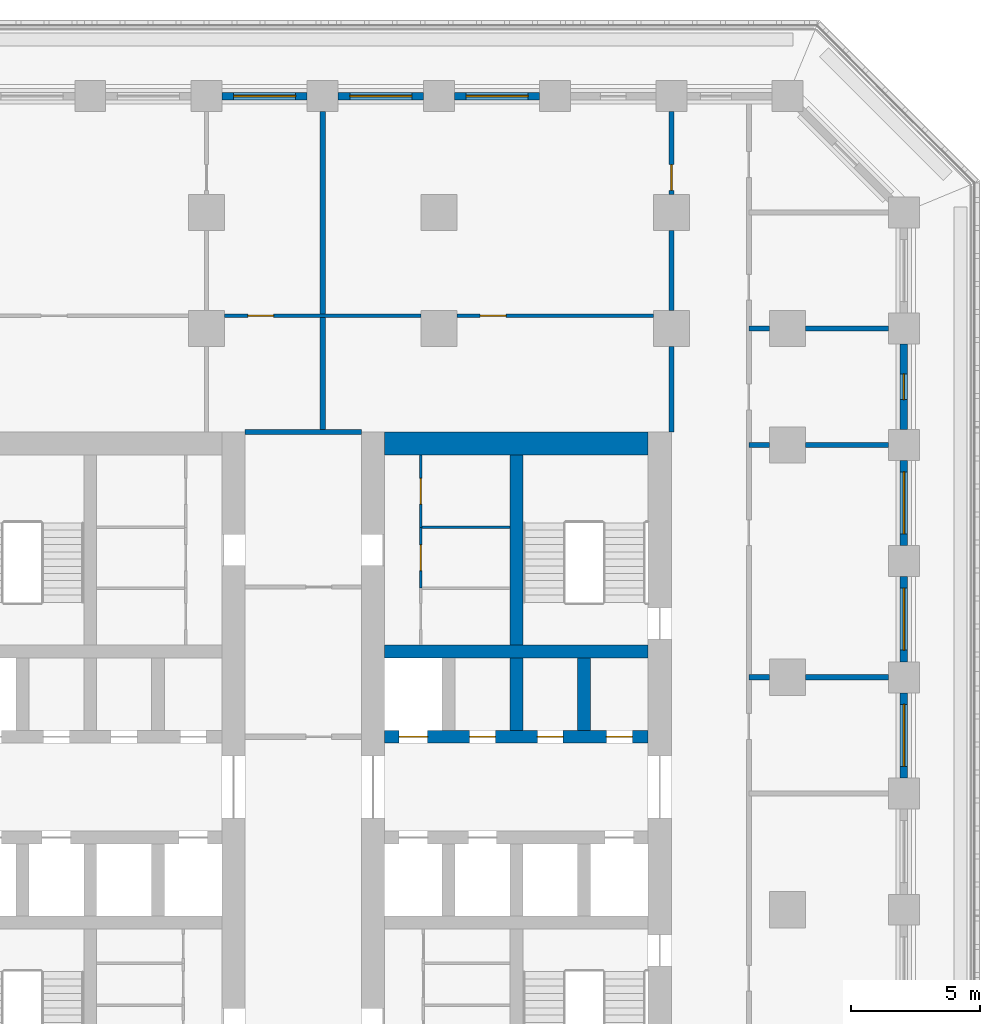
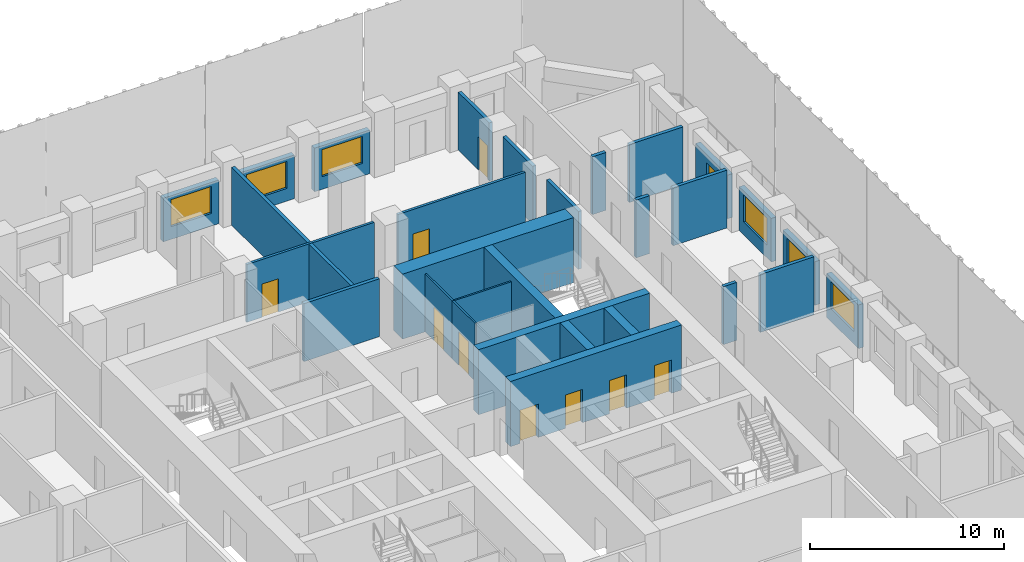
# One storey, part 8 of 19: 29 walls, 10 doors, 6 windows, 16 openings.
"""IFC4 building model written with IfcOpenShell, lengths in metres."""

from ifc_helpers import new_model, si_unit, direction, frame, frame_2d, origin, place, context, subcontext, project, spatial, rectangle, extrude, material, layer, layer_set, type_object, element, fill, save


model = new_model("IFC4")

# Units and contexts
model_context = context("Model", 3, precision=1e-05, world=origin(), true_north=direction((0.0, 1.0)))
body_context = subcontext(model_context, "Body", "Model", "MODEL_VIEW")
ifc_project = project(units=[si_unit("LENGTHUNIT", "METRE"), si_unit("AREAUNIT", "SQUARE_METRE"), si_unit("VOLUMEUNIT", "CUBIC_METRE"), si_unit("PLANEANGLEUNIT", "RADIAN"), si_unit("MASSUNIT", "GRAM", prefix="KILO")], contexts=[model_context])

# Site, building, storey
site_placement = place(None, origin())
site = spatial("IfcSite", under=ifc_project, at=site_placement, CompositionType="ELEMENT")
building_placement = place(site_placement, origin())
building = spatial("IfcBuilding", under=site, at=building_placement, Name="Corbel Stack Research Tower", CompositionType="ELEMENT")
storey_placement = place(building_placement, frame((0.0, 0.0, 133.10009765625)))
storey = spatial("IfcBuildingStorey", under=building, at=storey_placement, Name="L30", CompositionType="ELEMENT", Elevation=133.10009765625)

# Wall, openings, doors
ifc_material_1 = material(Name="Concrete C70/85", Category="concrete")
ifc_layer_1 = layer(ifc_material_1, 0.5)
ifc_layer_set_1 = layer_set([ifc_layer_1], Name="Concrete C70/85")
wall_type_1 = type_object("IfcWallType", Name="CW-500-70", PredefinedType="SHEAR", material=ifc_layer_set_1)
wall_1_placement = place(storey_placement, frame((6.89990234375, 6.699951171875, 0.0), z_axis=(0.0, 0.0, 1.0), x_axis=(1.0, 0.0, 0.0)))
wall_1 = element("IfcWall", 1, at=wall_1_placement, inside=storey, type_object=wall_type_1, Name="East core wall, lobby north L30", PredefinedType="SHEAR", context=body_context, shape_type="SweptSolid", body=[
    extrude(rectangle(XDim=10.2001953125, YDim=0.5, at=frame_2d((5.10009765625, 0.0))), origin(), (0.0, 0.0, 1.0), 4.099853515625),
])
opening_1_placement = place(wall_1_placement, frame((0.5625, 0.0, 0.0)))
opening_1 = element("IfcOpeningElement", 2, at=opening_1_placement, cuts=wall_1, Name="Opening LD-LR4", PredefinedType="OPENING", context=body_context, shape_type="SweptSolid", body=[
    extrude(rectangle(XDim=1.10009765625, YDim=2.10009765625, at=frame_2d((0.550048828125, 1.050048828125))), frame((0.0, 0.260009765625, 0.0), z_axis=(0.0, -1.0, 0.0), x_axis=(1.0, 0.0, 0.0)), (0.0, 0.0, 1.0), 0.52001953125),
])
opening_2_placement = place(wall_1_placement, frame((3.28759765625, 0.0, 0.0)))
opening_2 = element("IfcOpeningElement", 3, at=opening_2_placement, cuts=wall_1, Name="Opening CR-E42-N2", PredefinedType="OPENING", context=body_context, shape_type="SweptSolid", body=[
    extrude(rectangle(XDim=1.0, YDim=2.10009765625, at=frame_2d((0.5, 1.050048828125))), frame((0.0, 0.260009765625, 0.0), z_axis=(0.0, -1.0, 0.0), x_axis=(1.0, 0.0, 0.0)), (0.0, 0.0, 1.0), 0.52001953125),
])
opening_3_placement = place(wall_1_placement, frame((5.91259765625, 0.0, 0.0)))
opening_3 = element("IfcOpeningElement", 4, at=opening_3_placement, cuts=wall_1, Name="Opening CR-E42-N3", PredefinedType="OPENING", context=body_context, shape_type="SweptSolid", body=[
    extrude(rectangle(XDim=1.0, YDim=2.10009765625, at=frame_2d((0.5, 1.050048828125))), frame((0.0, 0.260009765625, 0.0), z_axis=(0.0, -1.0, 0.0), x_axis=(1.0, 0.0, 0.0)), (0.0, 0.0, 1.0), 0.52001953125),
])
opening_4_placement = place(wall_1_placement, frame((8.58740234375, 0.0, 0.0)))
opening_4 = element("IfcOpeningElement", 5, at=opening_4_placement, cuts=wall_1, Name="Opening CR-E42-N4", PredefinedType="OPENING", context=body_context, shape_type="SweptSolid", body=[
    extrude(rectangle(XDim=1.0, YDim=2.10009765625, at=frame_2d((0.5, 1.050048828125))), frame((0.0, 0.260009765625, 0.0), z_axis=(0.0, -1.0, 0.0), x_axis=(1.0, 0.0, 0.0)), (0.0, 0.0, 1.0), 0.52001953125),
])
ifc_material_2 = material(Name="Stainless steel landing door", Category="steel")
door_type_1 = type_object("IfcDoorType", Name="Lift landing door 1100 x 2100", OperationType="DOUBLE_DOOR_SLIDING", PredefinedType="DOOR", material=ifc_material_2)
door_1_placement = place(opening_1_placement, origin())
door_1 = element("IfcDoor", 6, at=door_1_placement, inside=storey, type_object=door_type_1, Name="Landing door LR4", OperationType="DOUBLE_DOOR_SLIDING", OverallHeight=2.10009765625, OverallWidth=1.10009765625, PredefinedType="DOOR", context=body_context, shape_type="SweptSolid", body=[
    extrude(rectangle(XDim=1.10009765625, YDim=2.10009765625, at=frame_2d((0.550048828125, 1.050048828125))), frame((0.0, 0.02490234375, 0.0), z_axis=(0.0, -1.0, 0.0), x_axis=(1.0, 0.0, 0.0)), (0.0, 0.0, 1.0), 0.050048828125),
])
fill(opening_1, door_1)
ifc_material_3 = material(Name="Painted steel door", Category="steel")
door_type_2 = type_object("IfcDoorType", Name="Service door 1000 x 2100 FD60 left hand", OperationType="SINGLE_SWING_LEFT", PredefinedType="DOOR", material=ifc_material_3)
door_2_placement = place(opening_3_placement, origin())
door_2 = element("IfcDoor", 7, at=door_2_placement, inside=storey, type_object=door_type_2, Name="Copy and supply store door E core", OperationType="SINGLE_SWING_LEFT", OverallHeight=2.10009765625, OverallWidth=1.0, PredefinedType="DOOR", context=body_context, shape_type="SweptSolid", body=[
    extrude(rectangle(XDim=1.0, YDim=2.10009765625, at=frame_2d((0.5, 1.050048828125))), frame((0.0, 0.02490234375, 0.0), z_axis=(0.0, -1.0, 0.0), x_axis=(1.0, 0.0, 0.0)), (0.0, 0.0, 1.0), 0.050048828125),
])
fill(opening_3, door_2)
ifc_material_4 = material(Name="Painted steel door", Category="steel")
door_type_3 = type_object("IfcDoorType", Name="Service door 1000 x 2100 FD60 right hand", OperationType="SINGLE_SWING_RIGHT", PredefinedType="DOOR", material=ifc_material_4)
door_3_placement = place(opening_2_placement, origin())
door_3 = element("IfcDoor", 8, at=door_3_placement, inside=storey, type_object=door_type_3, Name="Telecom room door E core", OperationType="SINGLE_SWING_RIGHT", OverallHeight=2.10009765625, OverallWidth=1.0, PredefinedType="DOOR", context=body_context, shape_type="SweptSolid", body=[
    extrude(rectangle(XDim=1.0, YDim=2.10009765625, at=frame_2d((0.5, 1.050048828125))), frame((0.0, 0.02490234375, 0.0), z_axis=(0.0, -1.0, 0.0), x_axis=(1.0, 0.0, 0.0)), (0.0, 0.0, 1.0), 0.050048828125),
])
fill(opening_2, door_3)
door_4_placement = place(opening_4_placement, origin())
door_4 = element("IfcDoor", 9, at=door_4_placement, inside=storey, type_object=door_type_3, Name="Records store door E core", OperationType="SINGLE_SWING_RIGHT", OverallHeight=2.10009765625, OverallWidth=1.0, PredefinedType="DOOR", context=body_context, shape_type="SweptSolid", body=[
    extrude(rectangle(XDim=1.0, YDim=2.10009765625, at=frame_2d((0.5, 1.050048828125))), frame((0.0, 0.02490234375, 0.0), z_axis=(0.0, -1.0, 0.0), x_axis=(1.0, 0.0, 0.0)), (0.0, 0.0, 1.0), 0.050048828125),
])
fill(opening_4, door_4)

# Walls
wall_2_placement = place(storey_placement, frame((6.89990234375, 10.0, 0.0), z_axis=(0.0, 0.0, 1.0), x_axis=(1.0, 0.0, 0.0)))
element("IfcWall", 10, at=wall_2_placement, inside=storey, type_object=wall_type_1, Name="East core wall, north row back L30", PredefinedType="SHEAR", context=body_context, shape_type="SweptSolid", body=[
    extrude(rectangle(XDim=10.2001953125, YDim=0.5, at=frame_2d((5.10009765625, 0.0))), origin(), (0.0, 0.0, 1.0), 4.099853515625),
])
for number, where, z_axis, x_axis, name in (
    (11, (12.0, 6.949951171875, 0.0), (0.0, 0.0, 1.0), (0.0, 1.0, 0.0), "East core wall, north shaft 2 L30"),
    (12, (14.625, 6.949951171875, 0.0), (0.0, 0.0, 1.0), (0.0, 1.0, 0.0), "East core wall, north shaft 3 L30"),
):
    element("IfcWall", number, at=place(storey_placement, frame(where, z_axis=z_axis, x_axis=x_axis)), inside=storey, type_object=wall_type_1, Name=name, PredefinedType="SHEAR", context=body_context, shape_type="SweptSolid", body=[
        extrude(rectangle(XDim=2.800048828125, YDim=0.5, at=frame_2d((1.39990234375, 0.0))), origin(), (0.0, 0.0, 1.0), 4.099853515625),
    ])
wall_3_placement = place(storey_placement, frame((12.0, 10.25, 0.0), z_axis=(0.0, 0.0, 1.0), x_axis=(0.0, 1.0, 0.0)))
element("IfcWall", 13, at=wall_3_placement, inside=storey, type_object=wall_type_1, Name="East core wall, north stair and riser L30", PredefinedType="SHEAR", context=body_context, shape_type="SweptSolid", body=[
    extrude(rectangle(XDim=7.35009765625, YDim=0.5, at=frame_2d((3.675048828125, 0.0))), origin(), (0.0, 0.0, 1.0), 4.099853515625),
])
ifc_material_5 = material(Name="Concrete C70/85", Category="concrete")
ifc_layer_2 = layer(ifc_material_5, 0.89990234375)
ifc_layer_set_2 = layer_set([ifc_layer_2], Name="Concrete C70/85")
wall_type_2 = type_object("IfcWallType", Name="CW-900-70", PredefinedType="SHEAR", material=ifc_layer_set_2)
wall_4_placement = place(storey_placement, frame((6.89990234375, 18.050048828125, 0.0), z_axis=(0.0, 0.0, 1.0), x_axis=(1.0, 0.0, 0.0)))
element("IfcWall", 14, at=wall_4_placement, inside=storey, type_object=wall_type_2, Name="East core wall, north end L30", PredefinedType="SHEAR", context=body_context, shape_type="SweptSolid", body=[
    extrude(rectangle(XDim=10.2001953125, YDim=0.89990234375, at=frame_2d((5.10009765625, 0.0))), origin(), (0.0, 0.0, 1.0), 4.099853515625),
])

# Wall, opening, door
ifc_material_6 = material(Name="Gypsum board")
ifc_layer_3 = layer(ifc_material_6, 0.10009765625)
ifc_layer_set_3 = layer_set([ifc_layer_3], Name="Gypsum board")
wall_type_3 = type_object("IfcWallType", Name="Core partition 100", PredefinedType="PARTITIONING", material=ifc_layer_set_3)
wall_5_placement = place(storey_placement, frame((8.300048828125, 12.455078125, 0.0), z_axis=(0.0, 0.0, 1.0), x_axis=(0.0, 1.0, 0.0)))
wall_5 = element("IfcWall", 15, at=wall_5_placement, inside=storey, type_object=wall_type_3, Name="Core partition E", PredefinedType="PARTITIONING", context=body_context, shape_type="SweptSolid", body=[
    extrude(rectangle(XDim=2.351806640625, YDim=0.10009765625, at=frame_2d((1.17578125, 0.0))), origin(), (0.0, 0.0, 1.0), 3.64990234375),
])
opening_5_placement = place(wall_5_placement, frame((0.676025390625, 0.0, 0.0)))
opening_5 = element("IfcOpeningElement", 16, at=opening_5_placement, cuts=wall_5, Name="Opening CR-E42-R3-1000", PredefinedType="OPENING", context=body_context, shape_type="SweptSolid", body=[
    extrude(rectangle(XDim=1.0, YDim=2.10009765625, at=frame_2d((0.5, 1.050048828125))), frame((0.0, 0.06005859375, 0.0), z_axis=(0.0, -1.0, 0.0), x_axis=(1.0, 0.0, 0.0)), (0.0, 0.0, 1.0), 0.1201171875),
])
ifc_material_7 = material(Name="Painted steel door", Category="steel")
door_type_4 = type_object("IfcDoorType", Name="Service door 1000 x 2100 FD30 right hand", OperationType="SINGLE_SWING_RIGHT", PredefinedType="DOOR", material=ifc_material_7)
door_5_placement = place(opening_5_placement, origin())
door_5 = element("IfcDoor", 17, at=door_5_placement, inside=storey, type_object=door_type_4, Name="Pantry door E core", OperationType="SINGLE_SWING_RIGHT", OverallHeight=2.10009765625, OverallWidth=1.0, PredefinedType="DOOR", context=body_context, shape_type="SweptSolid", body=[
    extrude(rectangle(XDim=1.0, YDim=2.10009765625, at=frame_2d((0.5, 1.050048828125))), frame((0.0, 0.02490234375, 0.0), z_axis=(0.0, -1.0, 0.0), x_axis=(1.0, 0.0, 0.0)), (0.0, 0.0, 1.0), 0.050048828125),
])
fill(opening_5, door_5)

wall_6_placement = place(storey_placement, frame((8.300048828125, 14.806884765625, 0.0), z_axis=(0.0, 0.0, 1.0), x_axis=(0.0, 1.0, 0.0)))
wall_6 = element("IfcWall", 18, at=wall_6_placement, inside=storey, type_object=wall_type_3, Name="Core partition E", PredefinedType="PARTITIONING", context=body_context, shape_type="SweptSolid", body=[
    extrude(rectangle(XDim=2.793212890625, YDim=0.10009765625, at=frame_2d((1.396484375, 0.0))), origin(), (0.0, 0.0, 1.0), 3.64990234375),
])
opening_6_placement = place(wall_6_placement, frame((0.896484375, 0.0, 0.0)))
opening_6 = element("IfcOpeningElement", 19, at=opening_6_placement, cuts=wall_6, Name="Opening CR-E42-R4-1000", PredefinedType="OPENING", context=body_context, shape_type="SweptSolid", body=[
    extrude(rectangle(XDim=1.0, YDim=2.10009765625, at=frame_2d((0.5, 1.050048828125))), frame((0.0, 0.06005859375, 0.0), z_axis=(0.0, -1.0, 0.0), x_axis=(1.0, 0.0, 0.0)), (0.0, 0.0, 1.0), 0.1201171875),
])
ifc_material_8 = material(Name="Painted steel door", Category="steel")
door_type_5 = type_object("IfcDoorType", Name="Riser door 1000 x 2100 FD60 left hand", OperationType="SINGLE_SWING_LEFT", PredefinedType="DOOR", material=ifc_material_8)
door_6_placement = place(opening_6_placement, origin())
door_6 = element("IfcDoor", 20, at=door_6_placement, inside=storey, type_object=door_type_5, Name="Electrical riser door E core", OperationType="SINGLE_SWING_LEFT", OverallHeight=2.10009765625, OverallWidth=1.0, PredefinedType="DOOR", context=body_context, shape_type="SweptSolid", body=[
    extrude(rectangle(XDim=1.0, YDim=2.10009765625, at=frame_2d((0.5, 1.050048828125))), frame((0.0, 0.02490234375, 0.0), z_axis=(0.0, -1.0, 0.0), x_axis=(1.0, 0.0, 0.0)), (0.0, 0.0, 1.0), 0.050048828125),
])
fill(opening_6, door_6)

# Walls
wall_7_placement = place(storey_placement, frame((8.300048828125, 14.806884765625, 0.0), z_axis=(0.0, 0.0, 1.0), x_axis=(1.0, 0.0, 0.0)))
element("IfcWall", 21, at=wall_7_placement, inside=storey, type_object=wall_type_3, Name="Core partition E", PredefinedType="PARTITIONING", context=body_context, shape_type="SweptSolid", body=[
    extrude(rectangle(XDim=3.449951171875, YDim=0.10009765625, at=frame_2d((1.72509765625, 0.0))), origin(), (0.0, 0.0, 1.0), 3.64990234375),
])
ifc_material_9 = material(Name="Fire-rated gypsum board partition on steel studs", Category="steel")
ifc_layer_4 = layer(ifc_material_9, 0.199951171875)
ifc_layer_set_4 = layer_set([ifc_layer_4], Name="Fire-rated gypsum board partition on steel studs")
wall_type_4 = type_object("IfcWallType", Name="Fire-rated partition 200 EI 60", PredefinedType="PARTITIONING", material=ifc_layer_set_4)
wall_8_placement = place(storey_placement, frame((4.5, 18.5, 0.0), z_axis=(0.0, 0.0, 1.0), x_axis=(0.0, 1.0, 0.0)))
element("IfcWall", 22, at=wall_8_placement, inside=storey, type_object=wall_type_4, Name="Partition L30-018", PredefinedType="PARTITIONING", context=body_context, shape_type="SweptSolid", body=[
    extrude(rectangle(XDim=12.39990234375, YDim=0.199951171875, at=frame_2d((6.199951171875, 0.0))), origin(), (0.0, 0.0, 1.0), 3.64990234375),
])
wall_9_placement = place(storey_placement, frame((18.0, 18.5, 0.0), z_axis=(0.0, 0.0, 1.0), x_axis=(0.0, 1.0, 0.0)))
element("IfcWall", 23, at=wall_9_placement, inside=storey, type_object=wall_type_4, Name="Partition L30-021", PredefinedType="PARTITIONING", context=body_context, shape_type="SweptSolid", body=[
    extrude(rectangle(XDim=3.300048828125, YDim=0.199951171875, at=frame_2d((1.64990234375, 0.0))), origin(), (0.0, 0.0, 1.0), 3.64990234375),
])
wall_10_placement = place(storey_placement, frame((18.0, 23.199951171875, 0.0), z_axis=(0.0, 0.0, 1.0), x_axis=(0.0, 1.0, 0.0)))
element("IfcWall", 24, at=wall_10_placement, inside=storey, type_object=wall_type_4, Name="Partition L30-022", PredefinedType="PARTITIONING", context=body_context, shape_type="SweptSolid", body=[
    extrude(rectangle(XDim=3.10009765625, YDim=0.199951171875, at=frame_2d((1.550048828125, 0.0))), origin(), (0.0, 0.0, 1.0), 3.64990234375),
])

# Wall, opening, door
wall_11_placement = place(storey_placement, frame((18.0, 27.699951171875, 0.0), z_axis=(0.0, 0.0, 1.0), x_axis=(0.0, 1.0, 0.0)))
wall_11 = element("IfcWall", 25, at=wall_11_placement, inside=storey, type_object=wall_type_4, Name="Partition L30-023", PredefinedType="PARTITIONING", context=body_context, shape_type="SweptSolid", body=[
    extrude(rectangle(XDim=3.199951171875, YDim=0.199951171875, at=frame_2d((1.60009765625, 0.0))), origin(), (0.0, 0.0, 1.0), 3.64990234375),
])
opening_7_placement = place(wall_11_placement, frame((0.14990234375, 0.0, 0.0)))
opening_7 = element("IfcOpeningElement", 26, at=opening_7_placement, cuts=wall_11, Name="Opening B4V1-027", PredefinedType="OPENING", context=body_context, shape_type="SweptSolid", body=[
    extrude(rectangle(XDim=1.0, YDim=2.10009765625, at=frame_2d((0.5, 1.050048828125))), frame((0.0, 0.10986328125, 0.0), z_axis=(0.0, -1.0, 0.0), x_axis=(1.0, 0.0, 0.0)), (0.0, 0.0, 1.0), 0.219970703125),
])
ifc_material_10 = material(Name="Painted steel fire door", Category="steel")
door_type_6 = type_object("IfcDoorType", Name="Fire door FD30S 1000 x 2100", OperationType="NOTDEFINED", PredefinedType="DOOR", material=ifc_material_10)
door_7_placement = place(opening_7_placement, origin())
door_7 = element("IfcDoor", 27, at=door_7_placement, inside=storey, type_object=door_type_6, Name="Door B4V1-027", OperationType="SINGLE_SWING_LEFT", OverallHeight=2.10009765625, OverallWidth=1.0, PredefinedType="DOOR", context=body_context, shape_type="SweptSolid", body=[
    extrude(rectangle(XDim=1.0, YDim=2.10009765625, at=frame_2d((0.5, 1.050048828125))), frame((0.0, 0.02490234375, 0.0), z_axis=(0.0, -1.0, 0.0), x_axis=(1.0, 0.0, 0.0)), (0.0, 0.0, 1.0), 0.050048828125),
])
fill(opening_7, door_7)

# Walls
wall_12_placement = place(storey_placement, frame((21.0, 9.0, 0.0), z_axis=(0.0, 0.0, 1.0), x_axis=(1.0, 0.0, 0.0)))
element("IfcWall", 28, at=wall_12_placement, inside=storey, type_object=wall_type_4, Name="Partition L30-038", PredefinedType="PARTITIONING", context=body_context, shape_type="SweptSolid", body=[
    extrude(rectangle(XDim=0.800048828125, YDim=0.199951171875, at=frame_2d((0.39990234375, 0.0))), origin(), (0.0, 0.0, 1.0), 3.64990234375),
])
wall_13_placement = place(storey_placement, frame((23.199951171875, 9.0, 0.0), z_axis=(0.0, 0.0, 1.0), x_axis=(1.0, 0.0, 0.0)))
element("IfcWall", 29, at=wall_13_placement, inside=storey, type_object=wall_type_4, Name="Partition L30-039", PredefinedType="PARTITIONING", context=body_context, shape_type="SweptSolid", body=[
    extrude(rectangle(XDim=3.199951171875, YDim=0.199951171875, at=frame_2d((1.60009765625, 0.0))), origin(), (0.0, 0.0, 1.0), 3.64990234375),
])
wall_14_placement = place(storey_placement, frame((21.0, 18.0, 0.0), z_axis=(0.0, 0.0, 1.0), x_axis=(1.0, 0.0, 0.0)))
element("IfcWall", 30, at=wall_14_placement, inside=storey, type_object=wall_type_4, Name="Partition L30-043", PredefinedType="PARTITIONING", context=body_context, shape_type="SweptSolid", body=[
    extrude(rectangle(XDim=0.800048828125, YDim=0.199951171875, at=frame_2d((0.39990234375, 0.0))), origin(), (0.0, 0.0, 1.0), 3.64990234375),
])
wall_15_placement = place(storey_placement, frame((23.199951171875, 18.0, 0.0), z_axis=(0.0, 0.0, 1.0), x_axis=(1.0, 0.0, 0.0)))
element("IfcWall", 31, at=wall_15_placement, inside=storey, type_object=wall_type_4, Name="Partition L30-044", PredefinedType="PARTITIONING", context=body_context, shape_type="SweptSolid", body=[
    extrude(rectangle(XDim=3.199951171875, YDim=0.199951171875, at=frame_2d((1.60009765625, 0.0))), origin(), (0.0, 0.0, 1.0), 3.64990234375),
])
wall_16_placement = place(storey_placement, frame((1.5, 18.5, 0.0), z_axis=(0.0, 0.0, 1.0), x_axis=(1.0, 0.0, 0.0)))
element("IfcWall", 32, at=wall_16_placement, inside=storey, type_object=wall_type_4, Name="Partition L30-045", PredefinedType="PARTITIONING", context=body_context, shape_type="SweptSolid", body=[
    extrude(rectangle(XDim=4.5, YDim=0.199951171875, at=frame_2d((2.25, 0.0))), origin(), (0.0, 0.0, 1.0), 3.64990234375),
])
wall_17_placement = place(storey_placement, frame((21.0, 22.5, 0.0), z_axis=(0.0, 0.0, 1.0), x_axis=(1.0, 0.0, 0.0)))
element("IfcWall", 33, at=wall_17_placement, inside=storey, type_object=wall_type_4, Name="Partition L30-048", PredefinedType="PARTITIONING", context=body_context, shape_type="SweptSolid", body=[
    extrude(rectangle(XDim=0.800048828125, YDim=0.199951171875, at=frame_2d((0.39990234375, 0.0))), origin(), (0.0, 0.0, 1.0), 3.64990234375),
])
wall_18_placement = place(storey_placement, frame((23.199951171875, 22.5, 0.0), z_axis=(0.0, 0.0, 1.0), x_axis=(1.0, 0.0, 0.0)))
element("IfcWall", 34, at=wall_18_placement, inside=storey, type_object=wall_type_4, Name="Partition L30-049", PredefinedType="PARTITIONING", context=body_context, shape_type="SweptSolid", body=[
    extrude(rectangle(XDim=3.199951171875, YDim=0.199951171875, at=frame_2d((1.60009765625, 0.0))), origin(), (0.0, 0.0, 1.0), 3.64990234375),
])

# Wall, opening, door
ifc_material_11 = material(Name="Gypsum board partition on steel studs", Category="steel")
ifc_layer_5 = layer(ifc_material_11, 0.14990234375)
ifc_layer_set_5 = layer_set([ifc_layer_5], Name="Gypsum board partition on steel studs")
wall_type_5 = type_object("IfcWallType", Name="Partition 150", PredefinedType="PARTITIONING", material=ifc_layer_set_5)
wall_19_placement = place(storey_placement, frame((8.300048828125, 23.0, 0.0), z_axis=(0.0, 0.0, 1.0), x_axis=(-1.0, 0.0, 0.0)))
wall_19 = element("IfcWall", 35, at=wall_19_placement, inside=storey, type_object=wall_type_5, Name="Partition L30-052", PredefinedType="PARTITIONING", context=body_context, shape_type="SweptSolid", body=[
    extrude(rectangle(XDim=7.60009765625, YDim=0.14990234375, at=frame_2d((3.800048828125, 0.0))), origin(), (0.0, 0.0, 1.0), 3.64990234375),
])
opening_8_placement = place(wall_19_placement, frame((5.699951171875, 0.0, 0.0)))
opening_8 = element("IfcOpeningElement", 36, at=opening_8_placement, cuts=wall_19, Name="Opening B4V1-037", PredefinedType="OPENING", context=body_context, shape_type="SweptSolid", body=[
    extrude(rectangle(XDim=1.0, YDim=2.10009765625, at=frame_2d((0.5, 1.050048828125))), frame((0.0, 0.0849609375, 0.0), z_axis=(0.0, -1.0, 0.0), x_axis=(1.0, 0.0, 0.0)), (0.0, 0.0, 1.0), 0.169921875),
])
ifc_material_12 = material(Name="Painted timber door", Category="wood")
door_type_7 = type_object("IfcDoorType", Name="Single door 1000 x 2100", OperationType="NOTDEFINED", PredefinedType="DOOR", material=ifc_material_12)
door_8_placement = place(opening_8_placement, origin())
door_8 = element("IfcDoor", 37, at=door_8_placement, inside=storey, type_object=door_type_7, Name="Door B4V1-037", OperationType="SINGLE_SWING_RIGHT", OverallHeight=2.10009765625, OverallWidth=1.0, PredefinedType="DOOR", context=body_context, shape_type="SweptSolid", body=[
    extrude(rectangle(XDim=1.0, YDim=2.10009765625, at=frame_2d((0.5, 1.050048828125))), frame((0.0, 0.02490234375, 0.0), z_axis=(0.0, -1.0, 0.0), x_axis=(1.0, 0.0, 0.0)), (0.0, 0.0, 1.0), 0.050048828125),
])
fill(opening_8, door_8)

wall_20_placement = place(storey_placement, frame((17.300048828125, 23.0, 0.0), z_axis=(0.0, 0.0, 1.0), x_axis=(-1.0, 0.0, 0.0)))
wall_20 = element("IfcWall", 38, at=wall_20_placement, inside=storey, type_object=wall_type_5, Name="Partition L30-053", PredefinedType="PARTITIONING", context=body_context, shape_type="SweptSolid", body=[
    extrude(rectangle(XDim=7.60009765625, YDim=0.14990234375, at=frame_2d((3.800048828125, 0.0))), origin(), (0.0, 0.0, 1.0), 3.64990234375),
])
opening_9_placement = place(wall_20_placement, frame((5.699951171875, 0.0, 0.0)))
opening_9 = element("IfcOpeningElement", 39, at=opening_9_placement, cuts=wall_20, Name="Opening B4V1-038", PredefinedType="OPENING", context=body_context, shape_type="SweptSolid", body=[
    extrude(rectangle(XDim=1.0, YDim=2.10009765625, at=frame_2d((0.5, 1.050048828125))), frame((0.0, 0.0849609375, 0.0), z_axis=(0.0, -1.0, 0.0), x_axis=(1.0, 0.0, 0.0)), (0.0, 0.0, 1.0), 0.169921875),
])
door_9_placement = place(opening_9_placement, origin())
door_9 = element("IfcDoor", 40, at=door_9_placement, inside=storey, type_object=door_type_7, Name="Door B4V1-038", OperationType="SINGLE_SWING_RIGHT", OverallHeight=2.10009765625, OverallWidth=1.0, PredefinedType="DOOR", context=body_context, shape_type="SweptSolid", body=[
    extrude(rectangle(XDim=1.0, YDim=2.10009765625, at=frame_2d((0.5, 1.050048828125))), frame((0.0, 0.02490234375, 0.0), z_axis=(0.0, -1.0, 0.0), x_axis=(1.0, 0.0, 0.0)), (0.0, 0.0, 1.0), 0.050048828125),
])
fill(opening_9, door_9)

# Wall, opening, window
ifc_material_13 = material(Name="Concrete C45/55", Category="concrete")
ifc_layer_6 = layer(ifc_material_13, 0.300048828125)
ifc_layer_set_6 = layer_set([ifc_layer_6], Name="Concrete C45/55")
wall_type_6 = type_object("IfcWallType", Name="Terracotta-faced concrete wall 300", PredefinedType="SOLIDWALL", material=ifc_layer_set_6)
wall_21_placement = place(storey_placement, frame((27.0, 8.39990234375, 0.0), z_axis=(0.0, 0.0, 1.0), x_axis=(0.0, -1.0, 0.0)))
wall_21 = element("IfcWall", 41, at=wall_21_placement, inside=storey, type_object=wall_type_6, Name="Facade wall L30 E06", PredefinedType="SOLIDWALL", context=body_context, shape_type="SweptSolid", body=[
    extrude(rectangle(XDim=3.2998046875, YDim=0.300048828125, at=frame_2d((1.64990234375, 0.0))), origin(), (0.0, 0.0, 1.0), 2.75),
])
opening_10_placement = place(wall_21_placement, frame((0.449951171875, 0.0, 0.800048828125)))
opening_10 = element("IfcOpeningElement", 42, at=opening_10_placement, cuts=wall_21, Name="Opening W1", PredefinedType="OPENING", context=body_context, shape_type="SweptSolid", body=[
    extrude(rectangle(XDim=2.39990234375, YDim=1.699951171875, at=frame_2d((1.199951171875, 0.85009765625))), frame((0.0, 0.159912109375, 0.0), z_axis=(0.0, -1.0, 0.0), x_axis=(1.0, 0.0, 0.0)), (0.0, 0.0, 1.0), 0.320068359375),
])
ifc_material_14 = material(Name="Aluminium frame, clear double glazing", Category="aluminium")
window_type = type_object("IfcWindowType", Name="Window W1 2400 x 1700", PartitioningType="SINGLE_PANEL", PredefinedType="WINDOW", material=ifc_material_14)
window_1_placement = place(opening_10_placement, origin())
window_1 = element("IfcWindow", 43, at=window_1_placement, inside=storey, type_object=window_type, Name="Window W1 L30 E06", OverallHeight=1.699951171875, OverallWidth=2.39990234375, PartitioningType="SINGLE_PANEL", PredefinedType="WINDOW", context=body_context, shape_type="SweptSolid", body=[
    extrude(rectangle(XDim=2.39990234375, YDim=1.699951171875, at=frame_2d((1.199951171875, 0.85009765625))), frame((0.0, 0.030029296875, 0.0), z_axis=(0.0, -1.0, 0.0), x_axis=(1.0, 0.0, 0.0)), (0.0, 0.0, 1.0), 0.06005859375),
])
fill(opening_10, window_1)

wall_22_placement = place(storey_placement, frame((27.0, 12.89990234375, 0.0), z_axis=(0.0, 0.0, 1.0), x_axis=(0.0, -1.0, 0.0)))
wall_22 = element("IfcWall", 44, at=wall_22_placement, inside=storey, type_object=wall_type_6, Name="Facade wall L30 E07", PredefinedType="SOLIDWALL", context=body_context, shape_type="SweptSolid", body=[
    extrude(rectangle(XDim=3.2998046875, YDim=0.300048828125, at=frame_2d((1.64990234375, 0.0))), origin(), (0.0, 0.0, 1.0), 2.75),
])
opening_11_placement = place(wall_22_placement, frame((0.449951171875, 0.0, 0.800048828125)))
opening_11 = element("IfcOpeningElement", 45, at=opening_11_placement, cuts=wall_22, Name="Opening W1", PredefinedType="OPENING", context=body_context, shape_type="SweptSolid", body=[
    extrude(rectangle(XDim=2.39990234375, YDim=1.699951171875, at=frame_2d((1.199951171875, 0.85009765625))), frame((0.0, 0.159912109375, 0.0), z_axis=(0.0, -1.0, 0.0), x_axis=(1.0, 0.0, 0.0)), (0.0, 0.0, 1.0), 0.320068359375),
])
window_2_placement = place(opening_11_placement, origin())
window_2 = element("IfcWindow", 46, at=window_2_placement, inside=storey, type_object=window_type, Name="Window W1 L30 E07", OverallHeight=1.699951171875, OverallWidth=2.39990234375, PartitioningType="SINGLE_PANEL", PredefinedType="WINDOW", context=body_context, shape_type="SweptSolid", body=[
    extrude(rectangle(XDim=2.39990234375, YDim=1.699951171875, at=frame_2d((1.199951171875, 0.85009765625))), frame((0.0, 0.030029296875, 0.0), z_axis=(0.0, -1.0, 0.0), x_axis=(1.0, 0.0, 0.0)), (0.0, 0.0, 1.0), 0.06005859375),
])
fill(opening_11, window_2)

wall_23_placement = place(storey_placement, frame((27.0, 17.39990234375, 0.0), z_axis=(0.0, 0.0, 1.0), x_axis=(0.0, -1.0, 0.0)))
wall_23 = element("IfcWall", 47, at=wall_23_placement, inside=storey, type_object=wall_type_6, Name="Facade wall L30 E08", PredefinedType="SOLIDWALL", context=body_context, shape_type="SweptSolid", body=[
    extrude(rectangle(XDim=3.2998046875, YDim=0.300048828125, at=frame_2d((1.64990234375, 0.0))), origin(), (0.0, 0.0, 1.0), 2.75),
])
opening_12_placement = place(wall_23_placement, frame((0.449951171875, 0.0, 0.800048828125)))
opening_12 = element("IfcOpeningElement", 48, at=opening_12_placement, cuts=wall_23, Name="Opening W1", PredefinedType="OPENING", context=body_context, shape_type="SweptSolid", body=[
    extrude(rectangle(XDim=2.39990234375, YDim=1.699951171875, at=frame_2d((1.199951171875, 0.85009765625))), frame((0.0, 0.159912109375, 0.0), z_axis=(0.0, -1.0, 0.0), x_axis=(1.0, 0.0, 0.0)), (0.0, 0.0, 1.0), 0.320068359375),
])
window_3_placement = place(opening_12_placement, origin())
window_3 = element("IfcWindow", 49, at=window_3_placement, inside=storey, type_object=window_type, Name="Window W1 L30 E08", OverallHeight=1.699951171875, OverallWidth=2.39990234375, PartitioningType="SINGLE_PANEL", PredefinedType="WINDOW", context=body_context, shape_type="SweptSolid", body=[
    extrude(rectangle(XDim=2.39990234375, YDim=1.699951171875, at=frame_2d((1.199951171875, 0.85009765625))), frame((0.0, 0.030029296875, 0.0), z_axis=(0.0, -1.0, 0.0), x_axis=(1.0, 0.0, 0.0)), (0.0, 0.0, 1.0), 0.06005859375),
])
fill(opening_12, window_3)

# Wall, opening, door
wall_24_placement = place(storey_placement, frame((27.0, 21.89990234375, 0.0), z_axis=(0.0, 0.0, 1.0), x_axis=(0.0, -1.0, 0.0)))
wall_24 = element("IfcWall", 50, at=wall_24_placement, inside=storey, type_object=wall_type_6, Name="Facade wall L30 E09", PredefinedType="SOLIDWALL", context=body_context, shape_type="SweptSolid", body=[
    extrude(rectangle(XDim=3.2998046875, YDim=0.300048828125, at=frame_2d((1.64990234375, 0.0))), origin(), (0.0, 0.0, 1.0), 2.75),
])
opening_13_placement = place(wall_24_placement, frame((1.14990234375, 0.0, 0.0)))
opening_13 = element("IfcOpeningElement", 51, at=opening_13_placement, cuts=wall_24, Name="Opening L30-B05", PredefinedType="OPENING", context=body_context, shape_type="SweptSolid", body=[
    extrude(rectangle(XDim=1.0, YDim=2.199951171875, at=frame_2d((0.5, 1.10009765625))), frame((0.0, 0.159912109375, 0.0), z_axis=(0.0, -1.0, 0.0), x_axis=(1.0, 0.0, 0.0)), (0.0, 0.0, 1.0), 0.320068359375),
])
ifc_material_15 = material(Name="Aluminium frame, clear double glazing", Category="aluminium")
door_type_8 = type_object("IfcDoorType", Name="Balcony door BD1 1000 x 2200", OperationType="NOTDEFINED", PredefinedType="DOOR", material=ifc_material_15)
door_10_placement = place(opening_13_placement, origin())
door_10 = element("IfcDoor", 52, at=door_10_placement, inside=storey, type_object=door_type_8, Name="Balcony door L30-B05", OperationType="SINGLE_SWING_LEFT", OverallHeight=2.199951171875, OverallWidth=1.0, PredefinedType="DOOR", context=body_context, shape_type="SweptSolid", body=[
    extrude(rectangle(XDim=1.0, YDim=2.199951171875, at=frame_2d((0.5, 1.10009765625))), frame((0.0, 0.02490234375, 0.0), z_axis=(0.0, -1.0, 0.0), x_axis=(1.0, 0.0, 0.0)), (0.0, 0.0, 1.0), 0.050048828125),
])
fill(opening_13, door_10)

# Wall, opening, window
wall_25_placement = place(storey_placement, frame((9.60009765625, 31.5, 0.0), z_axis=(0.0, 0.0, 1.0), x_axis=(1.0, 0.0, 0.0)))
wall_25 = element("IfcWall", 53, at=wall_25_placement, inside=storey, type_object=wall_type_6, Name="Facade wall L30 N03", PredefinedType="SOLIDWALL", context=body_context, shape_type="SweptSolid", body=[
    extrude(rectangle(XDim=3.2998046875, YDim=0.300048828125, at=frame_2d((1.64990234375, 0.0))), origin(), (0.0, 0.0, 1.0), 2.75),
])
opening_14_placement = place(wall_25_placement, frame((0.449951171875, 0.0, 0.800048828125)))
opening_14 = element("IfcOpeningElement", 54, at=opening_14_placement, cuts=wall_25, Name="Opening W1", PredefinedType="OPENING", context=body_context, shape_type="SweptSolid", body=[
    extrude(rectangle(XDim=2.39990234375, YDim=1.699951171875, at=frame_2d((1.199951171875, 0.85009765625))), frame((0.0, 0.159912109375, 0.0), z_axis=(0.0, -1.0, 0.0), x_axis=(1.0, 0.0, 0.0)), (0.0, 0.0, 1.0), 0.320068359375),
])
window_4_placement = place(opening_14_placement, origin())
window_4 = element("IfcWindow", 55, at=window_4_placement, inside=storey, type_object=window_type, Name="Window W1 L30 N03", OverallHeight=1.699951171875, OverallWidth=2.39990234375, PartitioningType="SINGLE_PANEL", PredefinedType="WINDOW", context=body_context, shape_type="SweptSolid", body=[
    extrude(rectangle(XDim=2.39990234375, YDim=1.699951171875, at=frame_2d((1.199951171875, 0.85009765625))), frame((0.0, 0.030029296875, 0.0), z_axis=(0.0, -1.0, 0.0), x_axis=(1.0, 0.0, 0.0)), (0.0, 0.0, 1.0), 0.06005859375),
])
fill(opening_14, window_4)

wall_26_placement = place(storey_placement, frame((5.10009765625, 31.5, 0.0), z_axis=(0.0, 0.0, 1.0), x_axis=(1.0, 0.0, 0.0)))
wall_26 = element("IfcWall", 56, at=wall_26_placement, inside=storey, type_object=wall_type_6, Name="Facade wall L30 N04", PredefinedType="SOLIDWALL", context=body_context, shape_type="SweptSolid", body=[
    extrude(rectangle(XDim=3.2998046875, YDim=0.300048828125, at=frame_2d((1.64990234375, 0.0))), origin(), (0.0, 0.0, 1.0), 2.75),
])
opening_15_placement = place(wall_26_placement, frame((0.449951171875, 0.0, 0.800048828125)))
opening_15 = element("IfcOpeningElement", 57, at=opening_15_placement, cuts=wall_26, Name="Opening W1", PredefinedType="OPENING", context=body_context, shape_type="SweptSolid", body=[
    extrude(rectangle(XDim=2.39990234375, YDim=1.699951171875, at=frame_2d((1.199951171875, 0.85009765625))), frame((0.0, 0.159912109375, 0.0), z_axis=(0.0, -1.0, 0.0), x_axis=(1.0, 0.0, 0.0)), (0.0, 0.0, 1.0), 0.320068359375),
])
window_5_placement = place(opening_15_placement, origin())
window_5 = element("IfcWindow", 58, at=window_5_placement, inside=storey, type_object=window_type, Name="Window W1 L30 N04", OverallHeight=1.699951171875, OverallWidth=2.39990234375, PartitioningType="SINGLE_PANEL", PredefinedType="WINDOW", context=body_context, shape_type="SweptSolid", body=[
    extrude(rectangle(XDim=2.39990234375, YDim=1.699951171875, at=frame_2d((1.199951171875, 0.85009765625))), frame((0.0, 0.030029296875, 0.0), z_axis=(0.0, -1.0, 0.0), x_axis=(1.0, 0.0, 0.0)), (0.0, 0.0, 1.0), 0.06005859375),
])
fill(opening_15, window_5)

wall_27_placement = place(storey_placement, frame((0.60009765625, 31.5, 0.0), z_axis=(0.0, 0.0, 1.0), x_axis=(1.0, 0.0, 0.0)))
wall_27 = element("IfcWall", 59, at=wall_27_placement, inside=storey, type_object=wall_type_6, Name="Facade wall L30 N05", PredefinedType="SOLIDWALL", context=body_context, shape_type="SweptSolid", body=[
    extrude(rectangle(XDim=3.2998046875, YDim=0.300048828125, at=frame_2d((1.64990234375, 0.0))), origin(), (0.0, 0.0, 1.0), 2.75),
])
opening_16_placement = place(wall_27_placement, frame((0.449951171875, 0.0, 0.800048828125)))
opening_16 = element("IfcOpeningElement", 60, at=opening_16_placement, cuts=wall_27, Name="Opening W1", PredefinedType="OPENING", context=body_context, shape_type="SweptSolid", body=[
    extrude(rectangle(XDim=2.39990234375, YDim=1.699951171875, at=frame_2d((1.199951171875, 0.85009765625))), frame((0.0, 0.159912109375, 0.0), z_axis=(0.0, -1.0, 0.0), x_axis=(1.0, 0.0, 0.0)), (0.0, 0.0, 1.0), 0.320068359375),
])
window_6_placement = place(opening_16_placement, origin())
window_6 = element("IfcWindow", 61, at=window_6_placement, inside=storey, type_object=window_type, Name="Window W1 L30 N05", OverallHeight=1.699951171875, OverallWidth=2.39990234375, PartitioningType="SINGLE_PANEL", PredefinedType="WINDOW", context=body_context, shape_type="SweptSolid", body=[
    extrude(rectangle(XDim=2.39990234375, YDim=1.699951171875, at=frame_2d((1.199951171875, 0.85009765625))), frame((0.0, 0.030029296875, 0.0), z_axis=(0.0, -1.0, 0.0), x_axis=(1.0, 0.0, 0.0)), (0.0, 0.0, 1.0), 0.06005859375),
])
fill(opening_16, window_6)

save(model, "model.ifc")
